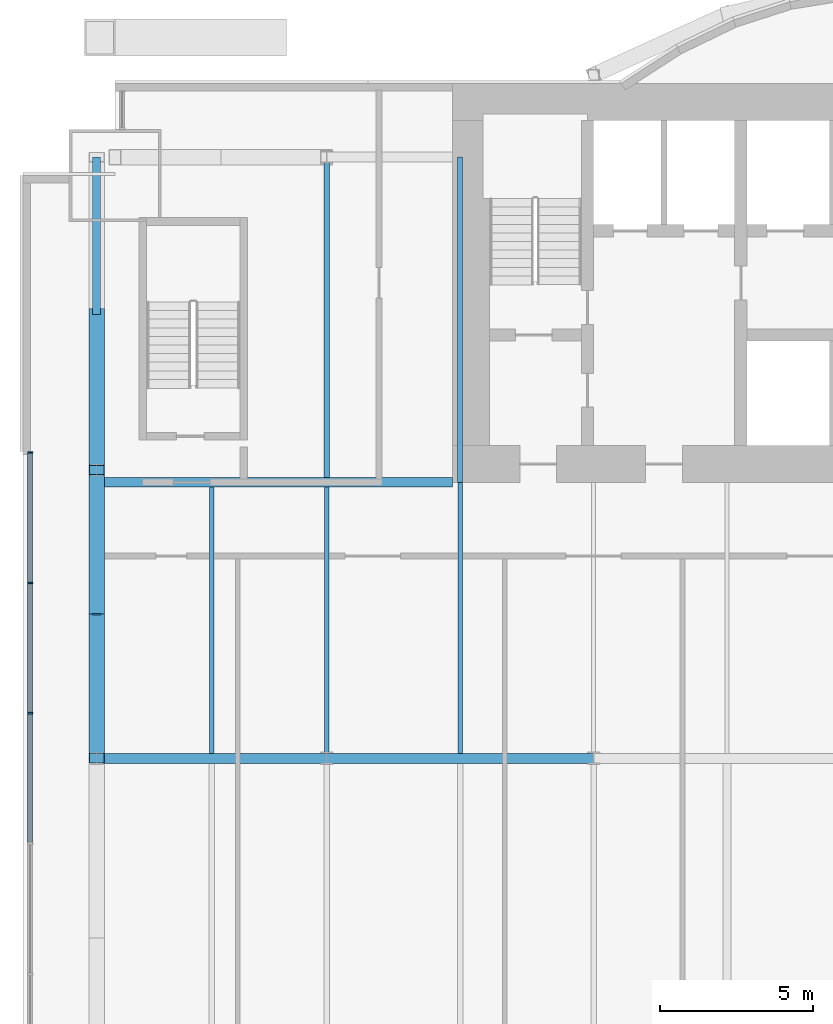
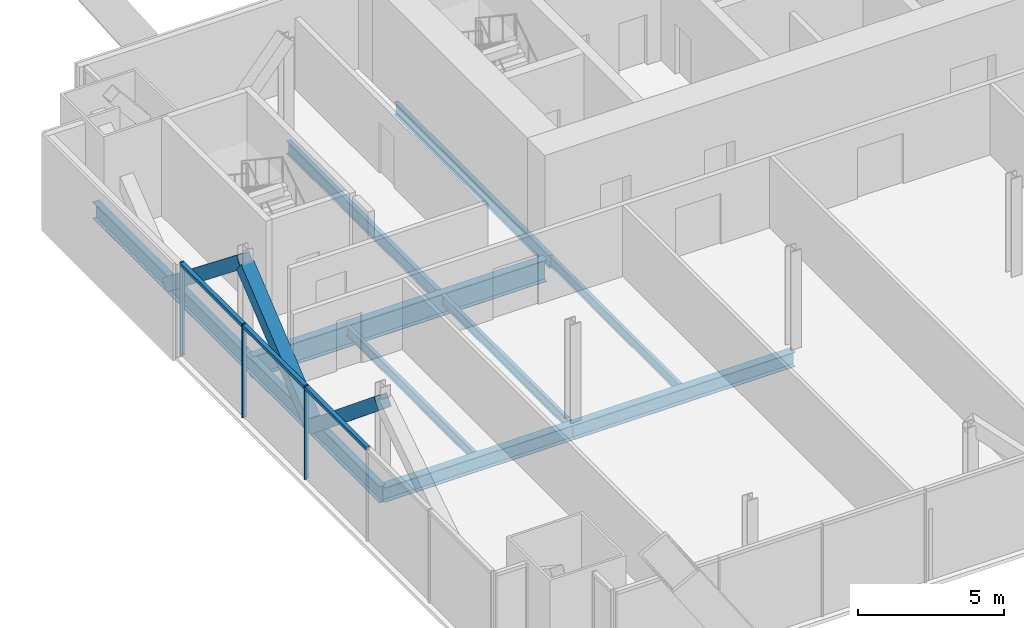
# One storey, part 6 of 21: 10 beams, 9 members, 1 element without a shape of its own.
"""IFC4 building model written with IfcOpenShell, lengths in metres."""

from ifc_helpers import new_model, si_unit, direction, frame, origin, origin_2d, place, context, subcontext, project, spatial, rectangle, hollow_rectangle, i_section, extrude, material, material_profile, profile_set, type_object, element, aggregate, save


model = new_model("IFC4")

# Units and contexts
model_context = context("Model", 3, precision=1e-05, world=origin(), true_north=direction((0.0, 1.0)))
body_context = subcontext(model_context, "Body", "Model", "MODEL_VIEW")
ifc_project = project(units=[si_unit("LENGTHUNIT", "METRE"), si_unit("AREAUNIT", "SQUARE_METRE"), si_unit("VOLUMEUNIT", "CUBIC_METRE"), si_unit("PLANEANGLEUNIT", "RADIAN"), si_unit("MASSUNIT", "GRAM", prefix="KILO")], contexts=[model_context])

# Site, building, storey
site_placement = place(None, origin())
site = spatial("IfcSite", under=ifc_project, at=site_placement, CompositionType="ELEMENT")
building_placement = place(site_placement, origin())
building = spatial("IfcBuilding", under=site, at=building_placement, Name="Bicima Exchange Tower", CompositionType="ELEMENT")
storey_placement = place(building_placement, frame((0.0, 0.0, 130.89990234375)))
storey = spatial("IfcBuildingStorey", under=building, at=storey_placement, Name="L28", CompositionType="ELEMENT", Elevation=130.89990234375)

# Beam
ifc_material_1 = material(Name="Steel ASTM A992 Gr 50", Category="steel")
ifc_material_profile_1 = material_profile(ifc_material_1, i_section(OverallWidth=0.3046875, OverallDepth=0.911865234375, WebThickness=0.015869140625, FlangeThickness=0.02392578125, at=origin_2d()))
ifc_profile_set_1 = profile_set([ifc_material_profile_1], Name="Steel ASTM A992 Gr 50")
beam_type_1 = type_object("IfcBeamType", Name="Core-line girder W36x150", PredefinedType="BEAM", material=ifc_profile_set_1)
beam_1_placement = place(storey_placement, frame((-22.0, -13.0, -0.605712890625), z_axis=(-1.0, 0.0, 0.0), x_axis=(0.0, -1.0, 0.0)))
element("IfcBeam", 1, at=beam_1_placement, inside=storey, type_object=beam_type_1, Name="Core-line girder", PredefinedType="BEAM", context=body_context, shape_type="SweptSolid", body=[
    extrude(i_section(OverallWidth=0.3046875, OverallDepth=0.911865234375, WebThickness=0.015869140625, FlangeThickness=0.02392578125, at=origin_2d()), origin(), (0.0, 0.0, 1.0), 11.60009765625),
])

# Curtain wall, members
ifc_material_2 = material(Name="Anodised bronze aluminium", Category="aluminium")
curtain_wall_type = type_object("IfcCurtainWallType", Name="End face glass wall", PredefinedType="NOTDEFINED", material=ifc_material_2)
curtain_wall_placement = place(storey_placement, origin())
curtain_wall = element("IfcCurtainWall", 2, at=curtain_wall_placement, inside=storey, type_object=curtain_wall_type, Name="End face glass wall L28 run 2", PredefinedType="NOTDEFINED")
ifc_material_profile_2 = material_profile(ifc_material_2, rectangle(XDim=0.159912109375, YDim=0.06005859375, at=origin_2d()))
ifc_profile_set_2 = profile_set([ifc_material_profile_2], Name="Anodised bronze aluminium")
member_type_1 = type_object("IfcMemberType", Name="End face glass wall mullion 60 x 160", PredefinedType="MULLION", material=ifc_profile_set_2)
member_1_placement = place(storey_placement, frame((-35.77001953125, -12.030029296875, 0.0), z_axis=(0.0, 0.0, 1.0), x_axis=(1.0, 0.0, 0.0)))
member_1 = element("IfcMember", 3, at=member_1_placement, type_object=member_type_1, Name="End face glass wall mullion 1", PredefinedType="MULLION", context=body_context, shape_type="SweptSolid", body=[
    extrude(rectangle(XDim=0.159912109375, YDim=0.06005859375, at=origin_2d()), origin(), (0.0, 0.0, 1.0), 3.900146484375),
])
member_2_placement = place(storey_placement, frame((-35.77001953125, -16.282470703125, 0.0), z_axis=(0.0, 0.0, 1.0), x_axis=(1.0, 0.0, 0.0)))
member_2 = element("IfcMember", 4, at=member_2_placement, type_object=member_type_1, Name="End face glass wall mullion 2", PredefinedType="MULLION", context=body_context, shape_type="SweptSolid", body=[
    extrude(rectangle(XDim=0.159912109375, YDim=0.06005859375, at=origin_2d()), origin(), (0.0, 0.0, 1.0), 3.900146484375),
])
member_3_placement = place(storey_placement, frame((-35.77001953125, -20.534912109375, 0.0), z_axis=(0.0, 0.0, 1.0), x_axis=(1.0, 0.0, 0.0)))
member_3 = element("IfcMember", 5, at=member_3_placement, type_object=member_type_1, Name="End face glass wall mullion 3", PredefinedType="MULLION", context=body_context, shape_type="SweptSolid", body=[
    extrude(rectangle(XDim=0.159912109375, YDim=0.06005859375, at=origin_2d()), origin(), (0.0, 0.0, 1.0), 3.900146484375),
])
ifc_material_profile_3 = material_profile(ifc_material_2, rectangle(XDim=0.159912109375, YDim=0.139892578125, at=origin_2d()))
ifc_profile_set_3 = profile_set([ifc_material_profile_3], Name="Anodised bronze aluminium")
member_type_2 = type_object("IfcMemberType", Name="End face glass wall transom 140 x 160", PredefinedType="USERDEFINED", material=ifc_profile_set_3)
member_4_placement = place(storey_placement, frame((-35.77001953125, -12.06005859375, 3.830078125), z_axis=(0.0, -1.0, 0.0), x_axis=(1.0, 0.0, 0.0)))
member_4 = element("IfcMember", 6, at=member_4_placement, type_object=member_type_2, Name="End face glass wall transom 1.1", ObjectType="TRANSOM", PredefinedType="USERDEFINED", context=body_context, shape_type="SweptSolid", body=[
    extrude(rectangle(XDim=0.159912109375, YDim=0.139892578125, at=origin_2d()), origin(), (0.0, 0.0, 1.0), 4.1923828125),
])
member_5_placement = place(storey_placement, frame((-35.77001953125, -16.3125, 3.830078125), z_axis=(0.0, -1.0, 0.0), x_axis=(1.0, 0.0, 0.0)))
member_5 = element("IfcMember", 7, at=member_5_placement, type_object=member_type_2, Name="End face glass wall transom 2.1", ObjectType="TRANSOM", PredefinedType="USERDEFINED", context=body_context, shape_type="SweptSolid", body=[
    extrude(rectangle(XDim=0.159912109375, YDim=0.139892578125, at=origin_2d()), origin(), (0.0, 0.0, 1.0), 4.1923828125),
])
member_6_placement = place(storey_placement, frame((-35.77001953125, -20.564697265625, 3.830078125), z_axis=(0.0, -1.0, 0.0), x_axis=(1.0, 0.0, 0.0)))
member_6 = element("IfcMember", 8, at=member_6_placement, type_object=member_type_2, Name="End face glass wall transom 3.1", ObjectType="TRANSOM", PredefinedType="USERDEFINED", context=body_context, shape_type="SweptSolid", body=[
    extrude(rectangle(XDim=0.159912109375, YDim=0.139892578125, at=origin_2d()), origin(), (0.0, 0.0, 1.0), 4.1923828125),
])
aggregate(curtain_wall, [member_1, member_2, member_3, member_4, member_5, member_6])

# Beams
ifc_material_profile_4 = material_profile(ifc_material_1, i_section(OverallWidth=0.256591796875, OverallDepth=0.693359375, WebThickness=0.014404296875, FlangeThickness=0.023681640625, at=origin_2d()))
ifc_profile_set_4 = profile_set([ifc_material_profile_4], Name="Steel ASTM A992 Gr 50")
beam_type_2 = type_object("IfcBeamType", Name="End girder W27x114", PredefinedType="BEAM", material=ifc_profile_set_4)
beam_2_placement = place(storey_placement, frame((-33.60009765625, -2.39990234375, -0.49658203125), z_axis=(0.0, -1.0, 0.0), x_axis=(1.0, 0.0, 0.0)))
element("IfcBeam", 9, at=beam_2_placement, inside=storey, type_object=beam_type_2, Name="End girder", PredefinedType="BEAM", context=body_context, shape_type="SweptSolid", body=[
    extrude(i_section(OverallWidth=0.256591796875, OverallDepth=0.693359375, WebThickness=0.014404296875, FlangeThickness=0.023681640625, at=origin_2d()), origin(), (0.0, 0.0, 1.0), 10.2001953125),
])
beam_3_placement = place(storey_placement, frame((-33.60009765625, -12.60009765625, -0.49658203125), z_axis=(0.0, -1.0, 0.0), x_axis=(1.0, 0.0, 0.0)))
element("IfcBeam", 10, at=beam_3_placement, inside=storey, type_object=beam_type_2, Name="End girder", PredefinedType="BEAM", context=body_context, shape_type="SweptSolid", body=[
    extrude(i_section(OverallWidth=0.256591796875, OverallDepth=0.693359375, WebThickness=0.014404296875, FlangeThickness=0.023681640625, at=origin_2d()), origin(), (0.0, 0.0, 1.0), 9.39990234375),
])
ifc_material_profile_5 = material_profile(ifc_material_1, i_section(OverallWidth=0.140380859375, OverallDepth=0.40380859375, WebThickness=0.007080078125, FlangeThickness=0.01123046875, at=origin_2d()))
ifc_profile_set_5 = profile_set([ifc_material_profile_5], Name="Steel ASTM A992 Gr 50")
beam_type_3 = type_object("IfcBeamType", Name="Floor beam W16x31", PredefinedType="JOIST", material=ifc_profile_set_5)
for number, where, z_axis, x_axis, name in (
    (11, (-29.85009765625, -13.15234375, -0.351806640625), (0.0, -1.0, 0.0), (1.0, 0.0, 0.0), "Floor beam"),
    (12, (-26.10009765625, -13.15234375, -0.351806640625), (0.0, -1.0, 0.0), (1.0, 0.0, 0.0), "Floor beam"),
):
    element("IfcBeam", number, at=place(storey_placement, frame(where, z_axis=z_axis, x_axis=x_axis)), inside=storey, type_object=beam_type_3, Name=name, PredefinedType="JOIST", context=body_context, shape_type="SweptSolid", body=[
        extrude(i_section(OverallWidth=0.140380859375, OverallDepth=0.40380859375, WebThickness=0.007080078125, FlangeThickness=0.01123046875, at=origin_2d()), origin(), (0.0, 0.0, 1.0), 8.68505859375),
    ])
beam_4_placement = place(storey_placement, frame((-21.75, -13.0, -0.351806640625), z_axis=(0.0, -1.0, 0.0), x_axis=(1.0, 0.0, 0.0)))
element("IfcBeam", 13, at=beam_4_placement, inside=storey, type_object=beam_type_3, Name="Floor beam", PredefinedType="JOIST", context=body_context, shape_type="SweptSolid", body=[
    extrude(i_section(OverallWidth=0.140380859375, OverallDepth=0.40380859375, WebThickness=0.007080078125, FlangeThickness=0.01123046875, at=origin_2d()), origin(), (0.0, 0.0, 1.0), 8.83740234375),
])
ifc_material_profile_6 = material_profile(ifc_material_1, i_section(OverallWidth=0.165771484375, OverallDepth=0.5283203125, WebThickness=0.009765625, FlangeThickness=0.013671875, at=origin_2d()))
ifc_profile_set_6 = profile_set([ifc_material_profile_6], Name="Steel ASTM A992 Gr 50")
beam_type_4 = type_object("IfcBeamType", Name="Floor beam W21x50", PredefinedType="JOIST", material=ifc_profile_set_6)
beam_5_placement = place(storey_placement, frame((-26.10009765625, -2.5625, -0.4140625), z_axis=(0.0, -1.0, 0.0), x_axis=(1.0, 0.0, 0.0)))
element("IfcBeam", 14, at=beam_5_placement, inside=storey, type_object=beam_type_4, Name="Floor beam", PredefinedType="JOIST", context=body_context, shape_type="SweptSolid", body=[
    extrude(i_section(OverallWidth=0.165771484375, OverallDepth=0.5283203125, WebThickness=0.009765625, FlangeThickness=0.013671875, at=origin_2d()), origin(), (0.0, 0.0, 1.0), 10.28515625),
])
beam_6_placement = place(storey_placement, frame((-21.75, -2.39990234375, -0.4140625), z_axis=(0.0, -1.0, 0.0), x_axis=(1.0, 0.0, 0.0)))
element("IfcBeam", 15, at=beam_6_placement, inside=storey, type_object=beam_type_4, Name="Floor beam", PredefinedType="JOIST", context=body_context, shape_type="SweptSolid", body=[
    extrude(i_section(OverallWidth=0.165771484375, OverallDepth=0.5283203125, WebThickness=0.009765625, FlangeThickness=0.013671875, at=origin_2d()), origin(), (0.0, 0.0, 1.0), 10.60009765625),
])

# Members
ifc_material_3 = material(Name="Steel ASTM A572 Gr 50", Category="steel")
ifc_material_profile_7 = material_profile(ifc_material_3, hollow_rectangle(XDim=0.508056640625, YDim=0.508056640625, WallThickness=0.0146484375, at=origin_2d()))
ifc_profile_set_7 = profile_set([ifc_material_profile_7], Name="Steel ASTM A572 Gr 50")
member_type_3 = type_object("IfcMemberType", Name="Mega brace HSS20x20x5/8", PredefinedType="BRACE", material=ifc_profile_set_7)
member_7_placement = place(storey_placement, frame((-33.60009765625, -7.5, -0.49658203125), z_axis=(0.0, -0.783112995316, 0.621879438932), x_axis=(1.0, 0.0, 0.0)))
element("IfcMember", 16, at=member_7_placement, inside=storey, type_object=member_type_3, Name="Mega brace west end", PredefinedType="BRACE", context=body_context, shape_type="SweptSolid", body=[
    extrude(hollow_rectangle(XDim=0.508056640625, YDim=0.508056640625, WallThickness=0.0146484375, at=origin_2d()), origin(), (0.0, 0.0, 1.0), 6.5126953125),
])
for number, where, z_axis, x_axis, name in (
    (17, (-33.60009765625, -17.300048828125, -0.49658203125), (0.0, -0.773441508125, 0.633867678234), (1.0, 0.0, 0.0), "Mega brace west end"),
    (18, (-33.60009765625, -17.300048828125, -0.49658203125), (0.0, 0.773441508125, 0.633867678234), (-1.0, 0.0, 0.0), "Mega brace west end"),
):
    element("IfcMember", number, at=place(storey_placement, frame(where, z_axis=z_axis, x_axis=x_axis)), inside=storey, type_object=member_type_3, Name=name, PredefinedType="BRACE", context=body_context, shape_type="SweptSolid", body=[
        extrude(hollow_rectangle(XDim=0.508056640625, YDim=0.508056640625, WallThickness=0.0146484375, at=origin_2d()), origin(), (0.0, 0.0, 1.0), 6.07666015625),
    ])

# Beams
ifc_material_profile_8 = material_profile(ifc_material_1, i_section(OverallWidth=0.3251953125, OverallDepth=0.612060546875, WebThickness=0.0126953125, FlangeThickness=0.01904296875, at=origin_2d()))
ifc_profile_set_8 = profile_set([ifc_material_profile_8], Name="Steel ASTM A992 Gr 50")
beam_type_5 = type_object("IfcBeamType", Name="Row girder W24x104", PredefinedType="BEAM", material=ifc_profile_set_8)
beam_7_placement = place(storey_placement, frame((-33.60009765625, -22.0, -0.4560546875), z_axis=(1.0, 0.0, 0.0), x_axis=(0.0, 1.0, 0.0)))
element("IfcBeam", 19, at=beam_7_placement, inside=storey, type_object=beam_type_5, Name="Row girder", PredefinedType="BEAM", context=body_context, shape_type="SweptSolid", body=[
    extrude(i_section(OverallWidth=0.3251953125, OverallDepth=0.612060546875, WebThickness=0.0126953125, FlangeThickness=0.01904296875, at=origin_2d()), origin(), (0.0, 0.0, 1.0), 7.5),
])
beam_8_placement = place(storey_placement, frame((-26.10009765625, -22.0, -0.4560546875), z_axis=(1.0, 0.0, 0.0), x_axis=(0.0, 1.0, 0.0)))
element("IfcBeam", 20, at=beam_8_placement, inside=storey, type_object=beam_type_5, Name="Row girder", PredefinedType="BEAM", context=body_context, shape_type="SweptSolid", body=[
    extrude(i_section(OverallWidth=0.3251953125, OverallDepth=0.612060546875, WebThickness=0.0126953125, FlangeThickness=0.01904296875, at=origin_2d()), origin(), (0.0, 0.0, 1.0), 8.7001953125),
])

save(model, "model.ifc")
